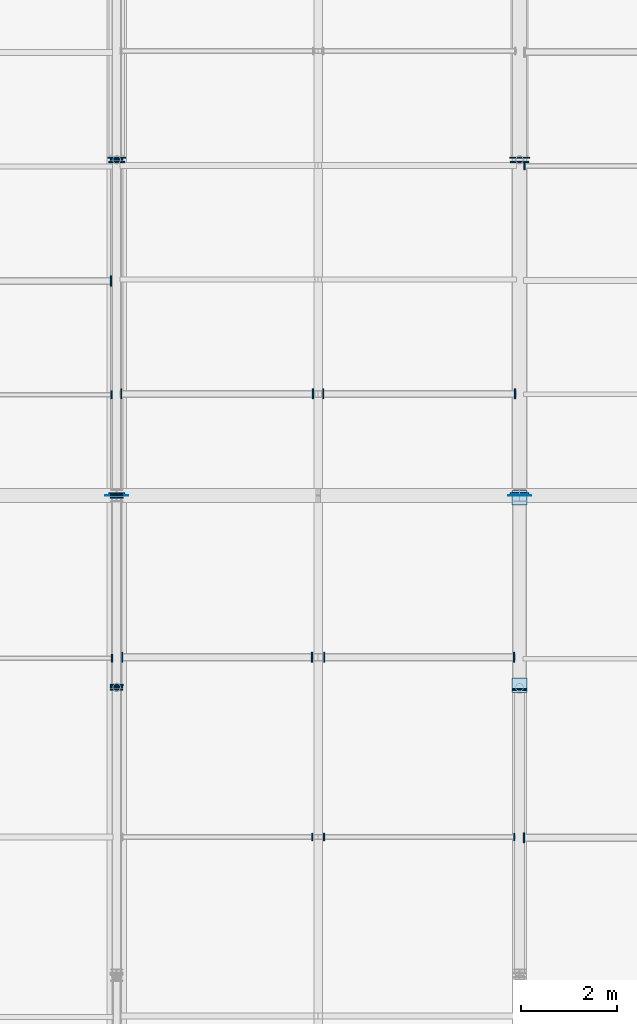
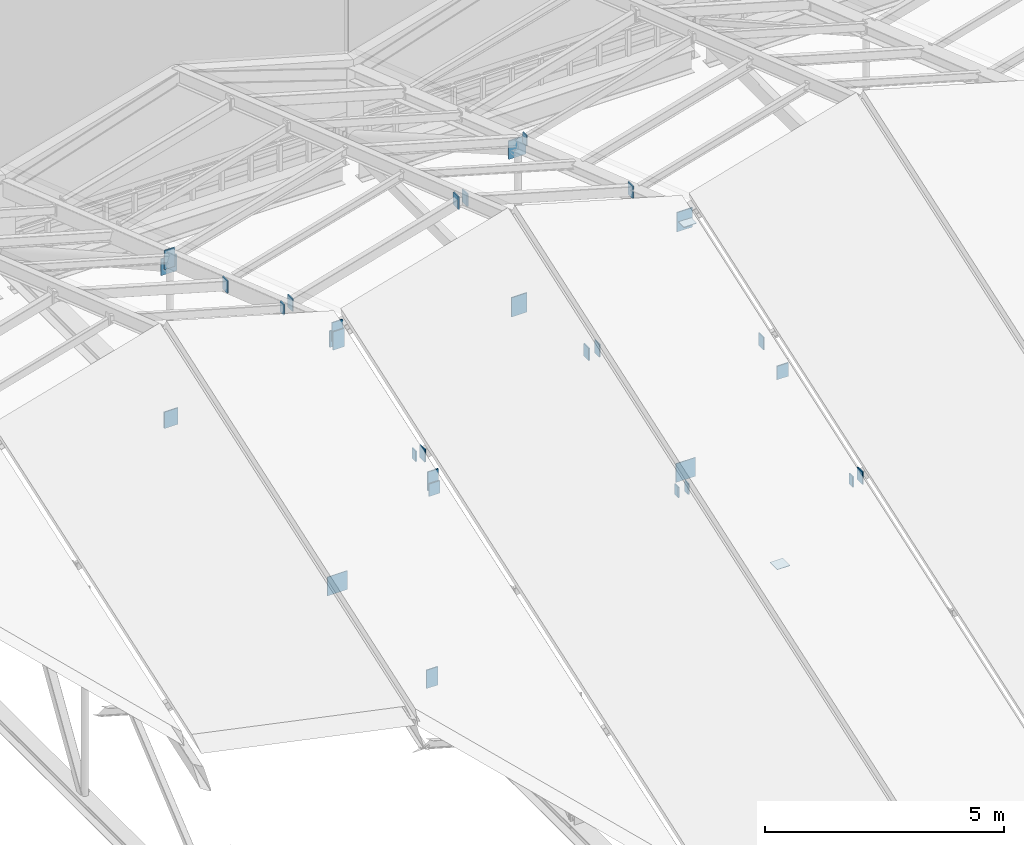
# One storey, part 60 of 77: 33 plates.
"""IFC4 building model written with IfcOpenShell, lengths in metres."""

from ifc_helpers import new_model, si_unit, direction, frame, origin, origin_2d, place, context, subcontext, project, spatial, rectangle, extrude, material, layer, layer_set, type_object, element, save


model = new_model("IFC4")

# Units and contexts
model_context = context("Model", 3, precision=1e-05, world=origin(), true_north=direction((0.0, 1.0)))
body_context = subcontext(model_context, "Body", "Model", "MODEL_VIEW")
ifc_project = project(units=[si_unit("LENGTHUNIT", "METRE"), si_unit("AREAUNIT", "SQUARE_METRE"), si_unit("VOLUMEUNIT", "CUBIC_METRE"), si_unit("PLANEANGLEUNIT", "RADIAN"), si_unit("MASSUNIT", "GRAM", prefix="KILO")], contexts=[model_context])

# Site, building, storey
site_placement = place(None, origin())
site = spatial("IfcSite", under=ifc_project, at=site_placement, CompositionType="ELEMENT")
building_placement = place(site_placement, origin())
building = spatial("IfcBuilding", under=site, at=building_placement, Name="Larkvane Passage Sports Hall", CompositionType="ELEMENT")
storey_placement = place(building_placement, frame((0.0, 0.0, 22.199951171875)))
storey = spatial("IfcBuildingStorey", under=building, at=storey_placement, Name="RF", CompositionType="ELEMENT", Elevation=22.199951171875)

# Plates
ifc_material_1 = material(Name="Steel S355JR", Category="steel")
ifc_layer_1 = layer(ifc_material_1, 0.011962890625)
ifc_layer_set_1 = layer_set([ifc_layer_1], Name="Steel S355JR")
plate_type_1 = type_object("IfcPlateType", Name="PLT-CAP-12", PredefinedType="SHEET", material=ifc_layer_set_1)
plate_1_placement = place(storey_placement, frame((51.60009765625, 57.5546875, 4.95263671875), z_axis=(0.0, 0.0, 1.0), x_axis=(-1.0, 0.0, 0.0)))
element("IfcPlate", 1, at=plate_1_placement, inside=storey, type_object=plate_type_1, Name="Hollow section sealed end cap plate 0265", PredefinedType="SHEET", context=body_context, shape_type="SweptSolid", body=[
    extrude(rectangle(XDim=0.260009765625, YDim=0.028076171875, at=origin_2d()), origin(), (0.0, 0.0, 1.0), 0.319091796875),
])
for number, where, z_axis, x_axis, name in (
    (2, (51.60009765625, 57.646728515625, 0.00048828125), (0.0, 0.0, 1.0), (-1.0, 0.0, 0.0), "Hollow section sealed end cap plate 0267"),
    (3, (51.60009765625, 61.55322265625, 6.2607421875), (0.0, 0.0, 1.0), (-1.0, 0.0, 0.0), "Hollow section sealed end cap plate 0268"),
):
    element("IfcPlate", number, at=place(storey_placement, frame(where, z_axis=z_axis, x_axis=x_axis)), inside=storey, type_object=plate_type_1, Name=name, PredefinedType="SHEET", context=body_context, shape_type="SweptSolid", body=[
        extrude(rectangle(XDim=0.27587890625, YDim=0.028076171875, at=origin_2d()), origin(), (0.0, 0.0, 1.0), 0.468994140625),
    ])
for number, where, z_axis, x_axis, name in (
    (4, (51.60009765625, 61.6455078125, 6.28369140625), (0.0, 0.0, 1.0), (-1.0, 0.0, 0.0), "Hollow section sealed end cap plate 0270"),
    (5, (51.60009765625, 68.554443359375, 0.025634765625), (0.0, 0.0, 1.0), (-1.0, 0.0, 0.0), "Hollow section sealed end cap plate 0271"),
):
    element("IfcPlate", number, at=place(storey_placement, frame(where, z_axis=z_axis, x_axis=x_axis)), inside=storey, type_object=plate_type_1, Name=name, PredefinedType="SHEET", context=body_context, shape_type="SweptSolid", body=[
        extrude(rectangle(XDim=0.326904296875, YDim=0.028076171875, at=origin_2d()), origin(), (0.0, 0.0, 1.0), 0.4208984375),
    ])
plate_2_placement = place(storey_placement, frame((60.0, 57.5546875, 4.99072265625), z_axis=(0.0, 0.0, 1.0), x_axis=(-1.0, 0.0, 0.0)))
element("IfcPlate", 6, at=plate_2_placement, inside=storey, type_object=plate_type_1, Name="Hollow section sealed end cap plate 0283", PredefinedType="SHEET", context=body_context, shape_type="SweptSolid", body=[
    extrude(rectangle(XDim=0.27587890625, YDim=0.028076171875, at=origin_2d()), origin(), (0.0, 0.0, 1.0), 0.343017578125),
])
for number, where, z_axis, x_axis, name in (
    (7, (60.0, 57.64697265625, 0.17919921875), (0.0, 0.0, 1.0), (1.0, 0.0, 0.0), "Hollow section sealed end cap plate 0284"),
    (8, (60.0, 61.552978515625, 6.5390625), (0.0, 0.0, 1.0), (1.0, 0.0, 0.0), "Hollow section sealed end cap plate 0285"),
):
    element("IfcPlate", number, at=place(storey_placement, frame(where, z_axis=z_axis, x_axis=x_axis)), inside=storey, type_object=plate_type_1, Name=name, PredefinedType="SHEET", context=body_context, shape_type="SweptSolid", body=[
        extrude(rectangle(XDim=0.306884765625, YDim=0.306884765625, at=origin_2d()), origin(), (0.0, 0.0, 1.0), 0.011962890625),
    ])
for number, where, z_axis, x_axis, name in (
    (9, (51.500244140625, 58.207763671875, 5.478759765625), (0.0, 0.0, 1.0), (0.0, 1.0, 0.0), "Hollow section sealed end cap plate 0412"),
    (10, (51.48974609375, 63.70068359375, 5.89013671875), (0.0, 0.0, 1.0), (0.0, 1.0, 0.0), "Hollow section sealed end cap plate 0420"),
):
    element("IfcPlate", number, at=place(storey_placement, frame(where, z_axis=z_axis, x_axis=x_axis)), inside=storey, type_object=plate_type_1, Name=name, PredefinedType="SHEET", context=body_context, shape_type="SweptSolid", body=[
        extrude(rectangle(XDim=0.159912109375, YDim=0.028076171875, at=origin_2d()), origin(), (0.0, 0.0, 1.0), 0.26806640625),
    ])
plate_3_placement = place(storey_placement, frame((51.483154296875, 66.07275390625, 5.025390625), z_axis=(0.0, 0.0, 1.0), x_axis=(0.0, 1.0, 0.0)))
element("IfcPlate", 11, at=plate_3_placement, inside=storey, type_object=plate_type_1, Name="Hollow section sealed end cap plate 0422", PredefinedType="SHEET", context=body_context, shape_type="SweptSolid", body=[
    extrude(rectangle(XDim=0.2099609375, YDim=0.028076171875, at=origin_2d()), origin(), (0.0, 0.0, 1.0), 0.320068359375),
])
plate_4_placement = place(storey_placement, frame((55.921875, 54.480224609375, 5.353515625), z_axis=(0.0, 0.0, 1.0), x_axis=(0.0, 1.0, 0.0)))
element("IfcPlate", 12, at=plate_4_placement, inside=storey, type_object=plate_type_1, Name="Hollow section sealed end cap plate 0428", PredefinedType="SHEET", context=body_context, shape_type="SweptSolid", body=[
    extrude(rectangle(XDim=0.159912109375, YDim=0.028076171875, at=origin_2d()), origin(), (0.0, 0.0, 1.0), 0.26806640625),
])
for number, where, z_axis, x_axis, name in (
    (13, (51.716796875, 58.228271484375, 5.3935546875), (0.0, 0.0, 1.0), (0.0, 1.0, 0.0), "Hollow section sealed end cap plate 0429"),
    (14, (55.92822265625, 58.228271484375, 6.5966796875), (0.0, 0.0, 1.0), (0.0, 1.0, 0.0), "Hollow section sealed end cap plate 0430"),
):
    element("IfcPlate", number, at=place(storey_placement, frame(where, z_axis=z_axis, x_axis=x_axis)), inside=storey, type_object=plate_type_1, Name=name, PredefinedType="SHEET", context=body_context, shape_type="SweptSolid", body=[
        extrude(rectangle(XDim=0.2099609375, YDim=0.028076171875, at=origin_2d()), origin(), (0.0, 0.0, 1.0), 0.320068359375),
    ])
for number, where, z_axis, x_axis, name in (
    (15, (55.67822265625, 54.480224609375, 5.353515625), (0.0, 0.0, 1.0), (0.0, 1.0, 0.0), "Hollow section sealed end cap plate 0433"),
    (16, (59.889892578125, 54.480224609375, 4.150390625), (0.0, 0.0, 1.0), (0.0, 1.0, 0.0), "Hollow section sealed end cap plate 0434"),
):
    element("IfcPlate", number, at=place(storey_placement, frame(where, z_axis=z_axis, x_axis=x_axis)), inside=storey, type_object=plate_type_1, Name=name, PredefinedType="SHEET", context=body_context, shape_type="SweptSolid", body=[
        extrude(rectangle(XDim=0.159912109375, YDim=0.028076171875, at=origin_2d()), origin(), (0.0, 0.0, 1.0), 0.26806640625),
    ])
for number, where, z_axis, x_axis, name in (
    (17, (55.671630859375, 58.228271484375, 6.5966796875), (0.0, 0.0, 1.0), (0.0, 1.0, 0.0), "Hollow section sealed end cap plate 0435"),
    (18, (59.88330078125, 58.228271484375, 5.3935546875), (0.0, 0.0, 1.0), (0.0, 1.0, 0.0), "Hollow section sealed end cap plate 0436"),
    (19, (51.696044921875, 63.718017578125, 5.9140625), (0.0, 0.0, 1.0), (0.0, 1.0, 0.0), "Hollow section sealed end cap plate 0437"),
    (20, (55.907470703125, 63.718017578125, 7.11767578125), (0.0, 0.0, 1.0), (0.0, 1.0, 0.0), "Hollow section sealed end cap plate 0438"),
    (21, (55.6923828125, 63.718017578125, 7.11767578125), (0.0, 0.0, 1.0), (0.0, 1.0, 0.0), "Hollow section sealed end cap plate 0443"),
    (22, (59.904052734375, 63.718017578125, 5.9140625), (0.0, 0.0, 1.0), (0.0, 1.0, 0.0), "Hollow section sealed end cap plate 0444"),
    (23, (60.095947265625, 54.462890625, 4.17431640625), (0.0, 0.0, 1.0), (0.0, 1.0, 0.0), "Hollow section sealed end cap plate 0451"),
):
    element("IfcPlate", number, at=place(storey_placement, frame(where, z_axis=z_axis, x_axis=x_axis)), inside=storey, type_object=plate_type_1, Name=name, PredefinedType="SHEET", context=body_context, shape_type="SweptSolid", body=[
        extrude(rectangle(XDim=0.2099609375, YDim=0.028076171875, at=origin_2d()), origin(), (0.0, 0.0, 1.0), 0.320068359375),
    ])
plate_5_placement = place(storey_placement, frame((60.099853515625, 68.47314453125, 4.29443359375), z_axis=(0.0, 0.0, 1.0), x_axis=(0.0, 1.0, 0.0)))
element("IfcPlate", 24, at=plate_5_placement, inside=storey, type_object=plate_type_1, Name="Hollow section sealed end cap plate 0457", PredefinedType="SHEET", context=body_context, shape_type="SweptSolid", body=[
    extrude(rectangle(XDim=0.159912109375, YDim=0.028076171875, at=origin_2d()), origin(), (0.0, 0.0, 1.0), 0.26806640625),
])
ifc_material_2 = material(Name="Steel S460N", Category="steel")
ifc_layer_2 = layer(ifc_material_2, 0.02001953125)
ifc_layer_set_2 = layer_set([ifc_layer_2], Name="Steel S460N")
plate_type_2 = type_object("IfcPlateType", Name="PLT-CAP-20", PredefinedType="SHEET", material=ifc_layer_set_2)
for number, where, z_axis, x_axis, name in (
    (25, (51.60009765625, 57.609619140625, 5.06005859375), (0.0, 0.0, 1.0), (-1.0, 0.0, 0.0), "Hollow section sealed end cap plate 0263"),
    (26, (51.60009765625, 61.609619140625, 6.44189453125), (0.0, 0.0, 1.0), (-1.0, 0.0, 0.0), "Hollow section sealed end cap plate 0266"),
    (27, (51.60009765625, 68.609619140625, 4.035400390625), (0.0, 0.0, 1.0), (-1.0, 0.0, 0.0), "Hollow section sealed end cap plate 0269"),
):
    element("IfcPlate", number, at=place(storey_placement, frame(where, z_axis=z_axis, x_axis=x_axis)), inside=storey, type_object=plate_type_2, Name=name, PredefinedType="SHEET", context=body_context, shape_type="SweptSolid", body=[
        extrude(rectangle(XDim=0.260009765625, YDim=0.028076171875, at=origin_2d()), origin(), (0.0, 0.0, 1.0), 0.48291015625),
    ])
plate_6_placement = place(storey_placement, frame((51.60009765625, 68.641357421875, 3.88232421875), z_axis=(0.0, 0.0, 1.0), x_axis=(-1.0, 0.0, 0.0)))
element("IfcPlate", 28, at=plate_6_placement, inside=storey, type_object=plate_type_2, Name="Hollow section sealed end cap plate 0273", PredefinedType="SHEET", context=body_context, shape_type="SweptSolid", body=[
    extrude(rectangle(XDim=0.37890625, YDim=0.028076171875, at=origin_2d()), origin(), (0.0, 0.0, 1.0), 0.425048828125),
])
for number, where, z_axis, x_axis, name in (
    (29, (60.0, 61.642578125, 6.30029296875), (0.0, 0.0, 1.0), (-1.0, 0.0, 0.0), "Hollow section sealed end cap plate 0286"),
    (30, (60.0, 68.557373046875, -0.06298828125), (0.0, 0.0, 1.0), (-1.0, 0.0, 0.0), "Hollow section sealed end cap plate 0287"),
):
    element("IfcPlate", number, at=place(storey_placement, frame(where, z_axis=z_axis, x_axis=x_axis)), inside=storey, type_object=plate_type_2, Name=name, PredefinedType="SHEET", context=body_context, shape_type="SweptSolid", body=[
        extrude(rectangle(XDim=0.37890625, YDim=0.028076171875, at=origin_2d()), origin(), (0.0, 0.0, 1.0), 0.492919921875),
    ])
plate_7_placement = place(storey_placement, frame((60.0, 68.641357421875, 3.91015625), z_axis=(0.0, 0.0, 1.0), x_axis=(-1.0, 0.0, 0.0)))
element("IfcPlate", 31, at=plate_7_placement, inside=storey, type_object=plate_type_2, Name="Hollow section sealed end cap plate 0288", PredefinedType="SHEET", context=body_context, shape_type="SweptSolid", body=[
    extrude(rectangle(XDim=0.416015625, YDim=0.028076171875, at=origin_2d()), origin(), (0.0, 0.0, 1.0), 0.469970703125),
])
ifc_layer_3 = layer(ifc_material_2, 0.01611328125)
ifc_layer_set_3 = layer_set([ifc_layer_3], Name="Steel S460N")
plate_type_3 = type_object("IfcPlateType", Name="PLT-GUS-16", PredefinedType="USERDEFINED", material=ifc_layer_set_3)
for number, where, z_axis, x_axis, name in (
    (32, (51.60009765625, 61.60009765625, 0.0), (0.0, 0.0, 1.0), (1.0, 0.0, 0.0), "Brace connection gusset plate 0275"),
    (33, (60.0, 61.60009765625, -0.050048828125), (0.0, 0.0, 1.0), (1.0, 0.0, 0.0), "Brace connection gusset plate 0290"),
):
    element("IfcPlate", number, at=place(storey_placement, frame(where, z_axis=z_axis, x_axis=x_axis)), inside=storey, type_object=plate_type_3, Name=name, ObjectType="GUSSET PLATE", PredefinedType="USERDEFINED", context=body_context, shape_type="SweptSolid", body=[
        extrude(rectangle(XDim=0.47998046875, YDim=0.01611328125, at=origin_2d()), origin(), (0.0, 0.0, 1.0), 0.47998046875),
    ])

save(model, "model.ifc")
